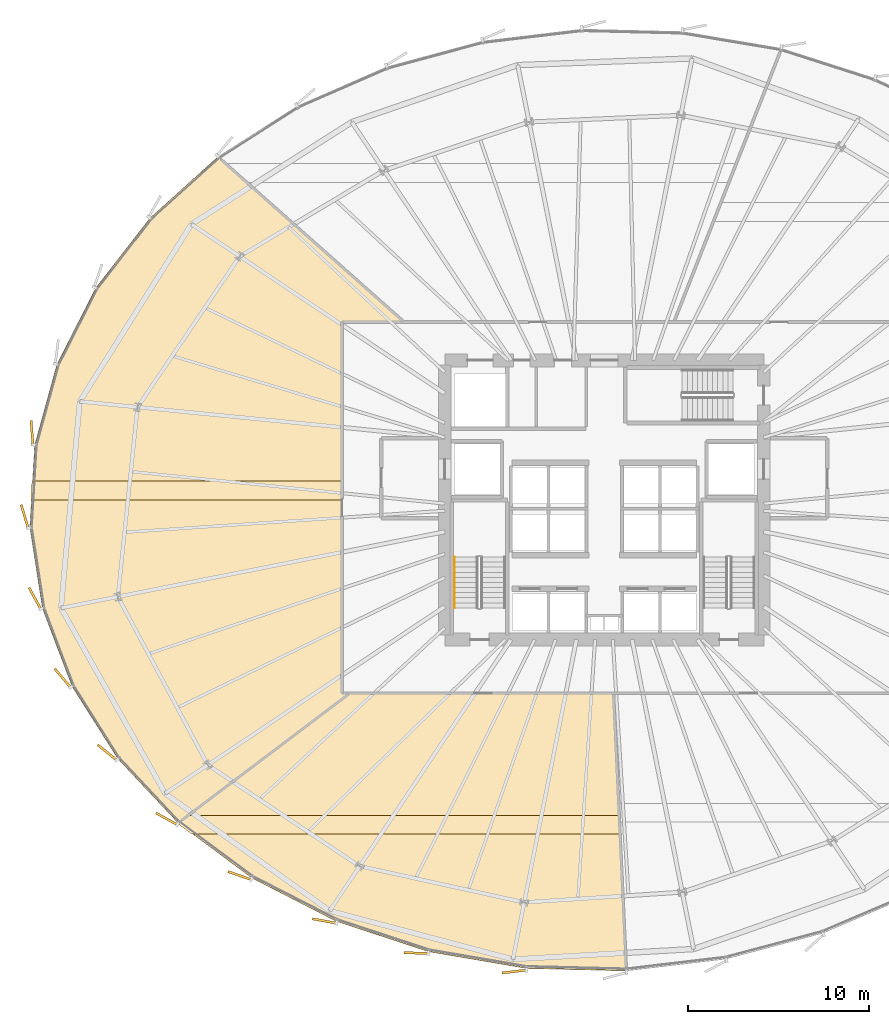
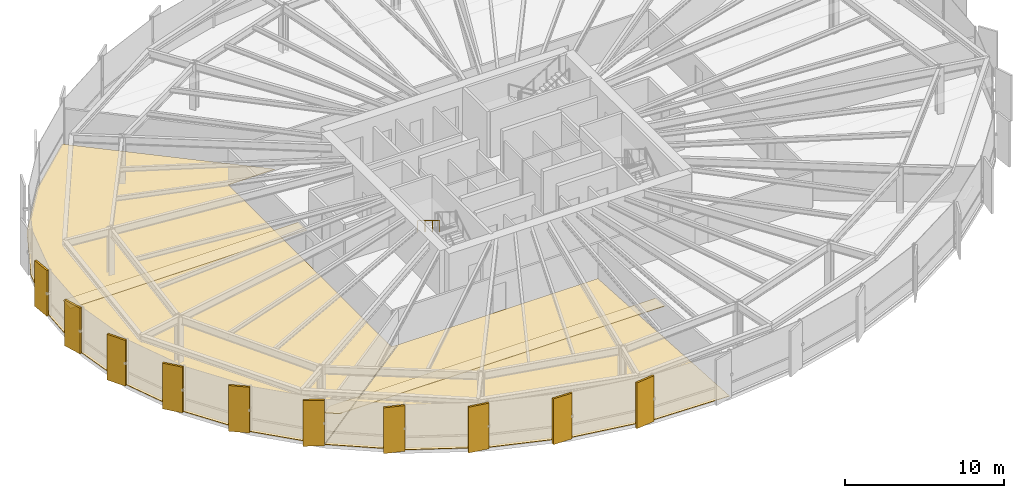
# One storey, part 33 of 39: 14 coverings, 1 railing.
"""IFC4 building model written with IfcOpenShell, lengths in metres."""

from ifc_helpers import new_model, si_unit, direction, frame, origin, origin_2d, place, context, subcontext, project, spatial, polyline, rectangle, circle, outline, extrude, source, transform, mapped, material, layer, layer_set, type_object, element, save


model = new_model("IFC4")

# Units and contexts
model_context = context("Model", 3, precision=1e-05, world=origin(), true_north=direction((0.0, 1.0)))
body_context = subcontext(model_context, "Body", "Model", "MODEL_VIEW")
ifc_project = project(units=[si_unit("LENGTHUNIT", "METRE"), si_unit("AREAUNIT", "SQUARE_METRE"), si_unit("VOLUMEUNIT", "CUBIC_METRE"), si_unit("PLANEANGLEUNIT", "RADIAN"), si_unit("MASSUNIT", "GRAM", prefix="KILO"), si_unit("THERMODYNAMICTEMPERATUREUNIT", "KELVIN")], contexts=[model_context])

# Site, building, storey
site_placement = place(None, origin())
site = spatial("IfcSite", under=ifc_project, at=site_placement, CompositionType="ELEMENT")
building_placement = place(site_placement, origin())
building = spatial("IfcBuilding", under=site, at=building_placement, Name="Kethvar Cultural Tower", CompositionType="ELEMENT")
storey_placement = place(building_placement, frame((0.0, 0.0, 41.0)))
storey = spatial("IfcBuildingStorey", under=building, at=storey_placement, Name="L09", CompositionType="ELEMENT", Elevation=41.0)

# Coverings
ifc_material_1 = material(Name="Acoustic Mineral Fibre Ceiling")
ifc_layer_1 = layer(ifc_material_1, 0.0400390625, Name="Acoustic Mineral Fibre Ceiling")
ifc_layer_set_1 = layer_set([ifc_layer_1], Name="Acoustic Mineral Fibre Ceiling (40 mm)")
covering_type_1 = type_object("IfcCoveringType", Name="CV-ACOUSTIC-CEIL", PredefinedType="CEILING", material=ifc_layer_set_1)
covering_1_placement = place(storey_placement, frame((0.0, 0.0, 2.449951171875)))
element("IfcCovering", 1, at=covering_1_placement, inside=storey, type_object=covering_type_1, Name="L09 Room 01 Acoustic Ceiling Panel", PredefinedType="CEILING", context=body_context, shape_type="SweptSolid", body=[
    extrude(outline(polyline([(23.28515625, 9.92919921875), (23.86083984375, 10.398681640625), (47.640625, 10.398681640625), (47.689208984375, 9.36865234375), (24.03857421875, 9.36865234375), (23.28515625, 9.92919921875)])), origin(), (0.0, 0.0, 1.0), 0.0400390625),
])
covering_2_placement = place(storey_placement, frame((0.0, 0.0, 2.449951171875)))
element("IfcCovering", 2, at=covering_2_placement, inside=storey, type_object=covering_type_1, Name="L09 Room 07 Acoustic Ceiling Panel", PredefinedType="CEILING", context=body_context, shape_type="SweptSolid", body=[
    extrude(outline(polyline([(15.22021484375, 28.8349609375), (32.35009765625, 28.8349609375), (32.35009765625, 27.804931640625), (15.1591796875, 27.804931640625), (15.22021484375, 28.8349609375)])), origin(), (0.0, 0.0, 1.0), 0.0400390625),
])
ifc_material_2 = material(Name="Honed Warm Limestone", Category="masonry")
ifc_layer_2 = layer(ifc_material_2, 0.030029296875, Name="Honed Warm Limestone", Category="masonry")
ifc_layer_set_2 = layer_set([ifc_layer_2], Name="Honed Warm Limestone (30 mm)")
covering_type_2 = type_object("IfcCoveringType", Name="CV-STONE-FLOOR", PredefinedType="FLOORING", material=ifc_layer_set_2)
covering_3_placement = place(storey_placement, origin())
element("IfcCovering", 3, at=covering_3_placement, inside=storey, type_object=covering_type_2, Name="L09 Room 01 Floor Finish", PredefinedType="FLOORING", context=body_context, shape_type="SweptSolid", body=[
    extrude(outline(polyline([(42.502685546875, 1.96044921875), (37.111328125, 2.880859375), (32.014404296875, 4.55859375), (27.3671875, 6.942626953125), (23.330322265625, 9.945556640625), (32.7744140625, 17.1201171875), (47.28369140625, 17.1201171875), (48.0048828125, 1.82568359375), (42.502685546875, 1.96044921875)])), origin(), (0.0, 0.0, 1.0), 0.030029296875),
])
covering_4_placement = place(storey_placement, origin())
element("IfcCovering", 4, at=covering_4_placement, inside=storey, type_object=covering_type_2, Name="L09 Room 07 Floor Finish", PredefinedType="FLOORING", context=body_context, shape_type="SweptSolid", body=[
    extrude(outline(polyline([(19.967529296875, 13.52001953125), (17.43994140625, 17.51318359375), (15.80419921875, 21.818603515625), (15.1103515625, 26.305419921875), (15.37890625, 30.837890625), (16.60205078125, 35.2783203125), (18.74267578125, 39.491455078125), (21.735595703125, 43.349853515625), (25.478515625, 46.72509765625), (35.699462890625, 37.639892578125), (32.31005859375, 37.6220703125), (32.31005859375, 17.139892578125), (32.708251953125, 17.1201171875), (23.29931640625, 9.97216796875), (19.967529296875, 13.52001953125)])), origin(), (0.0, 0.0, 1.0), 0.030029296875),
])

# Railing
ifc_material_3 = material(Name="Steel S355J2", Category="steel")
railing_type = type_object("IfcRailingType", Name="RL-STAIR-HANDRAIL", PredefinedType="HANDRAIL", material=ifc_material_3)
railing_placement = place(storey_placement, frame((38.5400390625, 24.64990234375, 2.07275390625)))
element("IfcRailing", 5, at=railing_placement, inside=storey, type_object=railing_type, Name="L09 ST-01 stair handrail 2", PredefinedType="HANDRAIL", context=body_context, shape_type="SweptSolid", body=[
    extrude(circle(Radius=0.02392578125, at=origin_2d()), frame((0.0, 0.0, 0.8759765625), z_axis=(0.0, -0.851069175582, 0.525053576669), x_axis=(1.0, 0.0, 0.0)), (0.0, 0.0, 1.0), 3.289794921875),
    extrude(circle(Radius=0.02099609375, at=origin_2d()), origin(), (0.0, 0.0, 1.0), 0.851806640625),
    extrude(circle(Radius=0.02099609375, at=origin_2d()), frame((0.0, -0.933349609375, 0.57568359375)), (0.0, 0.0, 1.0), 0.851806640625),
    extrude(circle(Radius=0.02099609375, at=origin_2d()), frame((0.0, -1.866455078125, 1.151611328125)), (0.0, 0.0, 1.0), 0.851806640625),
    extrude(circle(Radius=0.02099609375, at=origin_2d()), frame((0.0, -2.7998046875, 1.727294921875)), (0.0, 0.0, 1.0), 0.851806640625),
])

# Coverings
ifc_material_4 = material(Name="Extruded Architectural Terracotta", Category="masonry")
ifc_layer_3 = layer(ifc_material_4, 0.135009765625, Name="Extruded Architectural Terracotta", Category="masonry")
ifc_layer_set_3 = layer_set([ifc_layer_3], Name="Extruded Architectural Terracotta (135 mm)")
covering_type_3 = type_object("IfcCoveringType", Name="Terracotta Facade Fin FIN-01", PredefinedType="CLADDING", material=ifc_layer_set_3)
shared_shape = source(origin(), body_context, "Body", "SweptSolid", [
    extrude(rectangle(XDim=1.35009765625, YDim=0.135009765625, at=origin_2d()), origin(), (0.0, 0.0, 1.0), 3.510009765625),
])
for number, where, z_axis, x_axis, name in (
    (6, (15.22509765625, 31.518798828125, 0.02001953125), (0.0, 0.0, 1.0), (-0.08037289384, 0.996764865922, 0.0), "L09 Vertical Terracotta Fin 3.6"),
    (7, (14.82275390625, 26.89697265625, 0.02001953125), (0.0, 0.0, 1.0), (-0.288864708771, 0.957369928516, 0.0), "L09 Vertical Terracotta Fin 4.1"),
    (8, (15.385009765625, 22.37646484375, 0.02001953125), (0.0, 0.0, 1.0), (-0.481753674102, 0.876306680044, 0.0), "L09 Vertical Terracotta Fin 4.2"),
    (9, (16.91748046875, 17.975830078125, 0.02001953125), (0.0, 0.0, 1.0), (-0.647189023035, 0.76232956683, 0.0), "L09 Vertical Terracotta Fin 4.3"),
    (10, (19.3671875, 13.875732421875, 0.02001953125), (0.0, 0.0, 1.0), (-0.779337964931, 0.626603811364, 0.0), "L09 Vertical Terracotta Fin 4.4"),
    (11, (22.65673828125, 10.20458984375, 0.02001953125), (0.0, 0.0, 1.0), (-0.877648571535, 0.479304688984, 0.0), "L09 Vertical Terracotta Fin 4.5"),
    (12, (26.682373046875, 7.075927734375, 0.02001953125), (0.0, 0.0, 1.0), (-0.944605732311, 0.328207267568, 0.0), "L09 Vertical Terracotta Fin 4.6"),
    (13, (31.357666015625, 4.57080078125, 0.02001953125), (0.0, 0.0, 1.0), (-0.984133733774, 0.177428278601, 0.0), "L09 Vertical Terracotta Fin 5.1"),
    (14, (36.41845703125, 2.802490234375, 0.02001953125), (0.0, 0.0, 1.0), (-0.999565022632, 0.029491787528, 0.0), "L09 Vertical Terracotta Fin 5.2"),
    (15, (41.828369140625, 1.782958984375, 0.02001953125), (0.0, 0.0, 1.0), (-0.9933727656, -0.114937150493, 0.0), "L09 Vertical Terracotta Fin 5.3"),
):
    element("IfcCovering", number, at=place(storey_placement, frame(where, z_axis=z_axis, x_axis=x_axis)), inside=storey, type_object=covering_type_3, Name=name, PredefinedType="CLADDING", context=body_context, shape_type="MappedRepresentation", body=[
        mapped(shared_shape, transform((0.0, 0.0, 0.0), scale=1.0)),
    ])

save(model, "model.ifc")
